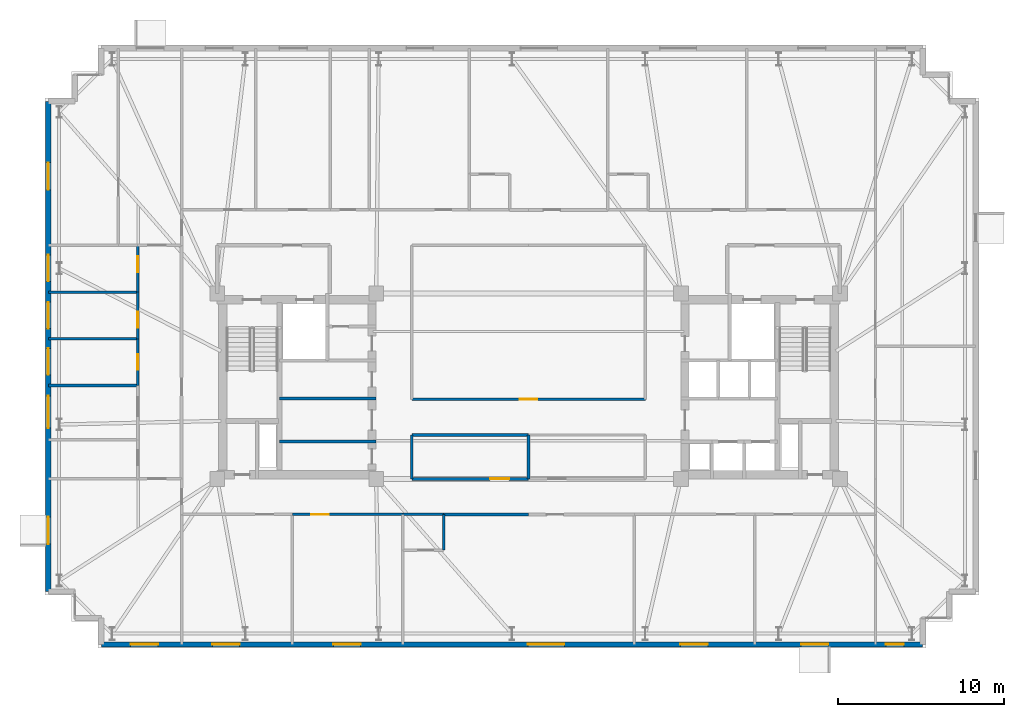
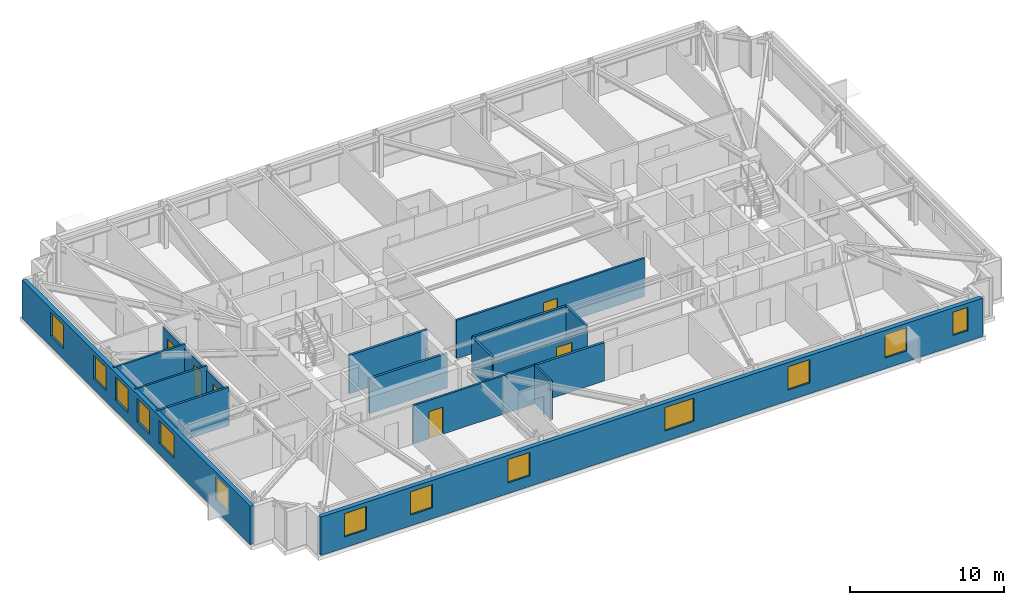
# One storey, part 11 of 17: 19 walls, 13 windows, 6 doors, 19 openings.
"""IFC4 building model written with IfcOpenShell, lengths in metres."""

from ifc_helpers import new_model, si_unit, direction, frame, frame_2d, origin, place, context, subcontext, project, spatial, rectangle, extrude, material, layer, layer_set, type_object, element, fill, save


model = new_model("IFC4")

# Units and contexts
model_context = context("Model", 3, precision=1e-05, world=origin(), true_north=direction((0.0, 1.0)))
body_context = subcontext(model_context, "Body", "Model", "MODEL_VIEW")
ifc_project = project(units=[si_unit("LENGTHUNIT", "METRE"), si_unit("AREAUNIT", "SQUARE_METRE"), si_unit("VOLUMEUNIT", "CUBIC_METRE"), si_unit("PLANEANGLEUNIT", "RADIAN"), si_unit("MASSUNIT", "GRAM", prefix="KILO")], contexts=[model_context])

# Site, building, storey
site_placement = place(None, origin())
site = spatial("IfcSite", under=ifc_project, at=site_placement, CompositionType="ELEMENT")
building_placement = place(site_placement, origin())
building = spatial("IfcBuilding", under=site, at=building_placement, Name="Qobustan Lattice House", CompositionType="ELEMENT")
storey_placement = place(building_placement, frame((0.0, 0.0, 167.85009765625)))
storey = spatial("IfcBuildingStorey", under=building, at=storey_placement, Name="L47", CompositionType="ELEMENT", Elevation=167.85009765625)

# Wall, openings, windows
ifc_material_1 = material(Name="Precast concrete C40/50", Category="concrete")
ifc_layer_1 = layer(ifc_material_1, 0.320068359375)
ifc_layer_set_1 = layer_set([ifc_layer_1], Name="Precast concrete C40/50")
wall_type_1 = type_object("IfcWallType", Name="WAL-EXT-STONE-320", PredefinedType="SOLIDWALL", material=ifc_layer_set_1)
wall_1_placement = place(storey_placement, frame((-29.0, -12.39990234375, 0.0), z_axis=(0.0, 0.0, 1.0), x_axis=(0.0, 1.0, 0.0)))
wall_1 = element("IfcWall", 1, at=wall_1_placement, inside=storey, type_object=wall_type_1, Name="L47 exterior limestone-clad wall 5", PredefinedType="SOLIDWALL", context=body_context, shape_type="SweptSolid", body=[
    extrude(rectangle(XDim=29.599853515625, YDim=0.320068359375, at=frame_2d((14.7998046875, 0.0))), origin(), (0.0, 0.0, 1.0), 3.039794921875),
])
opening_1_placement = place(wall_1_placement, frame((2.85498046875, 0.0, 0.85009765625)))
opening_1 = element("IfcOpeningElement", 2, at=opening_1_placement, cuts=wall_1, Name="Opening WN-09", PredefinedType="OPENING", context=body_context, shape_type="SweptSolid", body=[
    extrude(rectangle(XDim=1.64990234375, YDim=1.85009765625, at=frame_2d((0.824951171875, 0.925048828125))), frame((0.0, 0.169921875, 0.0), z_axis=(0.0, -1.0, 0.0), x_axis=(1.0, 0.0, 0.0)), (0.0, 0.0, 1.0), 0.340087890625),
])
opening_2_placement = place(wall_1_placement, frame((9.864990234375, 0.0, 0.85009765625)))
opening_2 = element("IfcOpeningElement", 3, at=opening_2_placement, cuts=wall_1, Name="Opening WN-08", PredefinedType="OPENING", context=body_context, shape_type="SweptSolid", body=[
    extrude(rectangle(XDim=1.949951171875, YDim=1.85009765625, at=frame_2d((0.97509765625, 0.925048828125))), frame((0.0, 0.169921875, 0.0), z_axis=(0.0, -1.0, 0.0), x_axis=(1.0, 0.0, 0.0)), (0.0, 0.0, 1.0), 0.340087890625),
])
opening_3_placement = place(wall_1_placement, frame((13.080078125, 0.0, 0.85009765625)))
opening_3 = element("IfcOpeningElement", 4, at=opening_3_placement, cuts=wall_1, Name="Opening WN-13", PredefinedType="OPENING", context=body_context, shape_type="SweptSolid", body=[
    extrude(rectangle(XDim=1.60009765625, YDim=1.85009765625, at=frame_2d((0.800048828125, 0.925048828125))), frame((0.0, 0.169921875, 0.0), z_axis=(0.0, -1.0, 0.0), x_axis=(1.0, 0.0, 0.0)), (0.0, 0.0, 1.0), 0.340087890625),
])
opening_4_placement = place(wall_1_placement, frame((15.8798828125, 0.0, 0.85009765625)))
opening_4 = element("IfcOpeningElement", 5, at=opening_4_placement, cuts=wall_1, Name="Opening WN-13", PredefinedType="OPENING", context=body_context, shape_type="SweptSolid", body=[
    extrude(rectangle(XDim=1.60009765625, YDim=1.85009765625, at=frame_2d((0.800048828125, 0.925048828125))), frame((0.0, 0.169921875, 0.0), z_axis=(0.0, -1.0, 0.0), x_axis=(1.0, 0.0, 0.0)), (0.0, 0.0, 1.0), 0.340087890625),
])
opening_5_placement = place(wall_1_placement, frame((18.719970703125, 0.0, 0.85009765625)))
opening_5 = element("IfcOpeningElement", 6, at=opening_5_placement, cuts=wall_1, Name="Opening WN-13", PredefinedType="OPENING", context=body_context, shape_type="SweptSolid", body=[
    extrude(rectangle(XDim=1.60009765625, YDim=1.85009765625, at=frame_2d((0.800048828125, 0.925048828125))), frame((0.0, 0.169921875, 0.0), z_axis=(0.0, -1.0, 0.0), x_axis=(1.0, 0.0, 0.0)), (0.0, 0.0, 1.0), 0.340087890625),
])
opening_6_placement = place(wall_1_placement, frame((24.2548828125, 0.0, 0.85009765625)))
opening_6 = element("IfcOpeningElement", 7, at=opening_6_placement, cuts=wall_1, Name="Opening WN-09", PredefinedType="OPENING", context=body_context, shape_type="SweptSolid", body=[
    extrude(rectangle(XDim=1.64990234375, YDim=1.85009765625, at=frame_2d((0.824951171875, 0.925048828125))), frame((0.0, 0.169921875, 0.0), z_axis=(0.0, -1.0, 0.0), x_axis=(1.0, 0.0, 0.0)), (0.0, 0.0, 1.0), 0.340087890625),
])
ifc_material_2 = material(Name="Double-glazed low-E aluminium window", Category="aluminium")
window_type_1 = type_object("IfcWindowType", Name="WIN-BED-1600x1850", PartitioningType="SINGLE_PANEL", PredefinedType="WINDOW", material=ifc_material_2)
window_1_placement = place(opening_3_placement, origin())
window_1 = element("IfcWindow", 8, at=window_1_placement, inside=storey, type_object=window_type_1, Name="L47 Cluster bedroom L47W1 window", OverallHeight=1.85009765625, OverallWidth=1.60009765625, PartitioningType="SINGLE_PANEL", PredefinedType="WINDOW", context=body_context, shape_type="SweptSolid", body=[
    extrude(rectangle(XDim=1.60009765625, YDim=1.85009765625, at=frame_2d((0.800048828125, 0.925048828125))), frame((0.0, 0.030029296875, 0.0), z_axis=(0.0, -1.0, 0.0), x_axis=(1.0, 0.0, 0.0)), (0.0, 0.0, 1.0), 0.06005859375),
])
fill(opening_3, window_1)
window_2_placement = place(opening_4_placement, origin())
window_2 = element("IfcWindow", 9, at=window_2_placement, inside=storey, type_object=window_type_1, Name="L47 Cluster bedroom L47W2 window", OverallHeight=1.85009765625, OverallWidth=1.60009765625, PartitioningType="SINGLE_PANEL", PredefinedType="WINDOW", context=body_context, shape_type="SweptSolid", body=[
    extrude(rectangle(XDim=1.60009765625, YDim=1.85009765625, at=frame_2d((0.800048828125, 0.925048828125))), frame((0.0, 0.030029296875, 0.0), z_axis=(0.0, -1.0, 0.0), x_axis=(1.0, 0.0, 0.0)), (0.0, 0.0, 1.0), 0.06005859375),
])
fill(opening_4, window_2)
window_3_placement = place(opening_5_placement, origin())
window_3 = element("IfcWindow", 10, at=window_3_placement, inside=storey, type_object=window_type_1, Name="L47 Cluster bedroom L47W3 window", OverallHeight=1.85009765625, OverallWidth=1.60009765625, PartitioningType="SINGLE_PANEL", PredefinedType="WINDOW", context=body_context, shape_type="SweptSolid", body=[
    extrude(rectangle(XDim=1.60009765625, YDim=1.85009765625, at=frame_2d((0.800048828125, 0.925048828125))), frame((0.0, 0.030029296875, 0.0), z_axis=(0.0, -1.0, 0.0), x_axis=(1.0, 0.0, 0.0)), (0.0, 0.0, 1.0), 0.06005859375),
])
fill(opening_5, window_3)
ifc_material_3 = material(Name="Double-glazed low-E aluminium window", Category="aluminium")
window_type_2 = type_object("IfcWindowType", Name="WIN-KIT-1950x1850", PartitioningType="SINGLE_PANEL", PredefinedType="WINDOW", material=ifc_material_3)
window_4_placement = place(opening_2_placement, origin())
window_4 = element("IfcWindow", 11, at=window_4_placement, inside=storey, type_object=window_type_2, Name="L47 Shared kitchen L47W window", OverallHeight=1.85009765625, OverallWidth=1.949951171875, PartitioningType="SINGLE_PANEL", PredefinedType="WINDOW", context=body_context, shape_type="SweptSolid", body=[
    extrude(rectangle(XDim=1.949951171875, YDim=1.85009765625, at=frame_2d((0.97509765625, 0.925048828125))), frame((0.0, 0.030029296875, 0.0), z_axis=(0.0, -1.0, 0.0), x_axis=(1.0, 0.0, 0.0)), (0.0, 0.0, 1.0), 0.06005859375),
])
fill(opening_2, window_4)
ifc_material_4 = material(Name="Double-glazed low-E aluminium window", Category="aluminium")
window_type_3 = type_object("IfcWindowType", Name="WIN-STU-1650x1850", PartitioningType="SINGLE_PANEL", PredefinedType="WINDOW", material=ifc_material_4)
window_5_placement = place(opening_1_placement, origin())
window_5 = element("IfcWindow", 12, at=window_5_placement, inside=storey, type_object=window_type_3, Name="L47 Reading study room L47WS window", OverallHeight=1.85009765625, OverallWidth=1.64990234375, PartitioningType="SINGLE_PANEL", PredefinedType="WINDOW", context=body_context, shape_type="SweptSolid", body=[
    extrude(rectangle(XDim=1.64990234375, YDim=1.85009765625, at=frame_2d((0.824951171875, 0.925048828125))), frame((0.0, 0.030029296875, 0.0), z_axis=(0.0, -1.0, 0.0), x_axis=(1.0, 0.0, 0.0)), (0.0, 0.0, 1.0), 0.06005859375),
])
fill(opening_1, window_5)
window_6_placement = place(opening_6_placement, origin())
window_6 = element("IfcWindow", 13, at=window_6_placement, inside=storey, type_object=window_type_3, Name="L47 Collaborative study room L47WN window", OverallHeight=1.85009765625, OverallWidth=1.64990234375, PartitioningType="SINGLE_PANEL", PredefinedType="WINDOW", context=body_context, shape_type="SweptSolid", body=[
    extrude(rectangle(XDim=1.64990234375, YDim=1.85009765625, at=frame_2d((0.824951171875, 0.925048828125))), frame((0.0, 0.030029296875, 0.0), z_axis=(0.0, -1.0, 0.0), x_axis=(1.0, 0.0, 0.0)), (0.0, 0.0, 1.0), 0.06005859375),
])
fill(opening_6, window_6)

wall_2_placement = place(storey_placement, frame((23.800048828125, -15.60009765625, 0.0), z_axis=(0.0, 0.0, 1.0), x_axis=(-1.0, 0.0, 0.0)))
wall_2 = element("IfcWall", 14, at=wall_2_placement, inside=storey, type_object=wall_type_1, Name="L47 exterior limestone-clad wall 20", PredefinedType="SOLIDWALL", context=body_context, shape_type="SweptSolid", body=[
    extrude(rectangle(XDim=49.60009765625, YDim=0.320068359375, at=frame_2d((24.800048828125, 0.0))), origin(), (0.0, 0.0, 1.0), 3.039794921875),
])
opening_7_placement = place(wall_2_placement, frame((1.1298828125, 0.0, 0.85009765625)))
opening_7 = element("IfcOpeningElement", 15, at=opening_7_placement, cuts=wall_2, Name="Opening WN-04", PredefinedType="OPENING", context=body_context, shape_type="SweptSolid", body=[
    extrude(rectangle(XDim=1.10009765625, YDim=1.85009765625, at=frame_2d((0.550048828125, 0.925048828125))), frame((0.0, 0.169921875, 0.0), z_axis=(0.0, -1.0, 0.0), x_axis=(1.0, 0.0, 0.0)), (0.0, 0.0, 1.0), 0.340087890625),
])
opening_8_placement = place(wall_2_placement, frame((5.695068359375, 0.0, 0.85009765625)))
opening_8 = element("IfcOpeningElement", 16, at=opening_8_placement, cuts=wall_2, Name="Opening WN-09", PredefinedType="OPENING", context=body_context, shape_type="SweptSolid", body=[
    extrude(rectangle(XDim=1.64990234375, YDim=1.85009765625, at=frame_2d((0.824951171875, 0.925048828125))), frame((0.0, 0.169921875, 0.0), z_axis=(0.0, -1.0, 0.0), x_axis=(1.0, 0.0, 0.0)), (0.0, 0.0, 1.0), 0.340087890625),
])
opening_9_placement = place(wall_2_placement, frame((12.97509765625, 0.0, 0.85009765625)))
opening_9 = element("IfcOpeningElement", 17, at=opening_9_placement, cuts=wall_2, Name="Opening WN-09", PredefinedType="OPENING", context=body_context, shape_type="SweptSolid", body=[
    extrude(rectangle(XDim=1.64990234375, YDim=1.85009765625, at=frame_2d((0.824951171875, 0.925048828125))), frame((0.0, 0.169921875, 0.0), z_axis=(0.0, -1.0, 0.0), x_axis=(1.0, 0.0, 0.0)), (0.0, 0.0, 1.0), 0.340087890625),
])
opening_10_placement = place(wall_2_placement, frame((21.635986328125, 0.0, 0.85009765625)))
opening_10 = element("IfcOpeningElement", 18, at=opening_10_placement, cuts=wall_2, Name="Opening WN-03", PredefinedType="OPENING", context=body_context, shape_type="SweptSolid", body=[
    extrude(rectangle(XDim=2.199951171875, YDim=1.85009765625, at=frame_2d((1.10009765625, 0.925048828125))), frame((0.0, 0.169921875, 0.0), z_axis=(0.0, -1.0, 0.0), x_axis=(1.0, 0.0, 0.0)), (0.0, 0.0, 1.0), 0.340087890625),
])
opening_11_placement = place(wall_2_placement, frame((33.93505859375, 0.0, 0.85009765625)))
opening_11 = element("IfcOpeningElement", 19, at=opening_11_placement, cuts=wall_2, Name="Opening WN-09", PredefinedType="OPENING", context=body_context, shape_type="SweptSolid", body=[
    extrude(rectangle(XDim=1.64990234375, YDim=1.85009765625, at=frame_2d((0.824951171875, 0.925048828125))), frame((0.0, 0.169921875, 0.0), z_axis=(0.0, -1.0, 0.0), x_axis=(1.0, 0.0, 0.0)), (0.0, 0.0, 1.0), 0.340087890625),
])
opening_12_placement = place(wall_2_placement, frame((41.240478515625, 0.0, 0.85009765625)))
opening_12 = element("IfcOpeningElement", 20, at=opening_12_placement, cuts=wall_2, Name="Opening WN-09", PredefinedType="OPENING", context=body_context, shape_type="SweptSolid", body=[
    extrude(rectangle(XDim=1.64990234375, YDim=1.85009765625, at=frame_2d((0.824951171875, 0.925048828125))), frame((0.0, 0.169921875, 0.0), z_axis=(0.0, -1.0, 0.0), x_axis=(1.0, 0.0, 0.0)), (0.0, 0.0, 1.0), 0.340087890625),
])
opening_13_placement = place(wall_2_placement, frame((46.175048828125, 0.0, 0.85009765625)))
opening_13 = element("IfcOpeningElement", 21, at=opening_13_placement, cuts=wall_2, Name="Opening WN-09", PredefinedType="OPENING", context=body_context, shape_type="SweptSolid", body=[
    extrude(rectangle(XDim=1.64990234375, YDim=1.85009765625, at=frame_2d((0.824951171875, 0.925048828125))), frame((0.0, 0.169921875, 0.0), z_axis=(0.0, -1.0, 0.0), x_axis=(1.0, 0.0, 0.0)), (0.0, 0.0, 1.0), 0.340087890625),
])
ifc_material_5 = material(Name="Double-glazed low-E aluminium window", Category="aluminium")
window_type_4 = type_object("IfcWindowType", Name="WIN-NAR-1100x1850", PartitioningType="SINGLE_PANEL", PredefinedType="WINDOW", material=ifc_material_5)
window_7_placement = place(opening_7_placement, origin())
window_7 = element("IfcWindow", 22, at=window_7_placement, inside=storey, type_object=window_type_4, Name="L47 Fellows reading room window", OverallHeight=1.85009765625, OverallWidth=1.10009765625, PartitioningType="SINGLE_PANEL", PredefinedType="WINDOW", context=body_context, shape_type="SweptSolid", body=[
    extrude(rectangle(XDim=1.10009765625, YDim=1.85009765625, at=frame_2d((0.550048828125, 0.925048828125))), frame((0.0, 0.030029296875, 0.0), z_axis=(0.0, -1.0, 0.0), x_axis=(1.0, 0.0, 0.0)), (0.0, 0.0, 1.0), 0.06005859375),
])
fill(opening_7, window_7)
window_8_placement = place(opening_8_placement, origin())
window_8 = element("IfcWindow", 23, at=window_8_placement, inside=storey, type_object=window_type_3, Name="L47 Academic seminar room window", OverallHeight=1.85009765625, OverallWidth=1.64990234375, PartitioningType="SINGLE_PANEL", PredefinedType="WINDOW", context=body_context, shape_type="SweptSolid", body=[
    extrude(rectangle(XDim=1.64990234375, YDim=1.85009765625, at=frame_2d((0.824951171875, 0.925048828125))), frame((0.0, 0.030029296875, 0.0), z_axis=(0.0, -1.0, 0.0), x_axis=(1.0, 0.0, 0.0)), (0.0, 0.0, 1.0), 0.06005859375),
])
fill(opening_8, window_8)
window_9_placement = place(opening_9_placement, origin())
window_9 = element("IfcWindow", 24, at=window_9_placement, inside=storey, type_object=window_type_3, Name="L47 Group study room window", OverallHeight=1.85009765625, OverallWidth=1.64990234375, PartitioningType="SINGLE_PANEL", PredefinedType="WINDOW", context=body_context, shape_type="SweptSolid", body=[
    extrude(rectangle(XDim=1.64990234375, YDim=1.85009765625, at=frame_2d((0.824951171875, 0.925048828125))), frame((0.0, 0.030029296875, 0.0), z_axis=(0.0, -1.0, 0.0), x_axis=(1.0, 0.0, 0.0)), (0.0, 0.0, 1.0), 0.06005859375),
])
fill(opening_9, window_9)
window_10_placement = place(opening_11_placement, origin())
window_10 = element("IfcWindow", 25, at=window_10_placement, inside=storey, type_object=window_type_3, Name="L47 Focus study room S1B window", OverallHeight=1.85009765625, OverallWidth=1.64990234375, PartitioningType="SINGLE_PANEL", PredefinedType="WINDOW", context=body_context, shape_type="SweptSolid", body=[
    extrude(rectangle(XDim=1.64990234375, YDim=1.85009765625, at=frame_2d((0.824951171875, 0.925048828125))), frame((0.0, 0.030029296875, 0.0), z_axis=(0.0, -1.0, 0.0), x_axis=(1.0, 0.0, 0.0)), (0.0, 0.0, 1.0), 0.06005859375),
])
fill(opening_11, window_10)
window_11_placement = place(opening_12_placement, origin())
window_11 = element("IfcWindow", 26, at=window_11_placement, inside=storey, type_object=window_type_3, Name="L47 Focus study room S1A window", OverallHeight=1.85009765625, OverallWidth=1.64990234375, PartitioningType="SINGLE_PANEL", PredefinedType="WINDOW", context=body_context, shape_type="SweptSolid", body=[
    extrude(rectangle(XDim=1.64990234375, YDim=1.85009765625, at=frame_2d((0.824951171875, 0.925048828125))), frame((0.0, 0.030029296875, 0.0), z_axis=(0.0, -1.0, 0.0), x_axis=(1.0, 0.0, 0.0)), (0.0, 0.0, 1.0), 0.06005859375),
])
fill(opening_12, window_11)
window_12_placement = place(opening_13_placement, origin())
window_12 = element("IfcWindow", 27, at=window_12_placement, inside=storey, type_object=window_type_3, Name="L47 Reading study room L47WS window", OverallHeight=1.85009765625, OverallWidth=1.64990234375, PartitioningType="SINGLE_PANEL", PredefinedType="WINDOW", context=body_context, shape_type="SweptSolid", body=[
    extrude(rectangle(XDim=1.64990234375, YDim=1.85009765625, at=frame_2d((0.824951171875, 0.925048828125))), frame((0.0, 0.030029296875, 0.0), z_axis=(0.0, -1.0, 0.0), x_axis=(1.0, 0.0, 0.0)), (0.0, 0.0, 1.0), 0.06005859375),
])
fill(opening_13, window_12)
ifc_material_6 = material(Name="Double-glazed low-E aluminium window", Category="aluminium")
window_type_5 = type_object("IfcWindowType", Name="WIN-WIDE-2200x1850", PartitioningType="SINGLE_PANEL", PredefinedType="WINDOW", material=ifc_material_6)
window_13_placement = place(opening_10_placement, origin())
window_13 = element("IfcWindow", 28, at=window_13_placement, inside=storey, type_object=window_type_5, Name="L47 Kitchenette and studio apartment L47-S2 window", OverallHeight=1.85009765625, OverallWidth=2.199951171875, PartitioningType="SINGLE_PANEL", PredefinedType="WINDOW", context=body_context, shape_type="SweptSolid", body=[
    extrude(rectangle(XDim=2.199951171875, YDim=1.85009765625, at=frame_2d((1.10009765625, 0.925048828125))), frame((0.0, 0.030029296875, 0.0), z_axis=(0.0, -1.0, 0.0), x_axis=(1.0, 0.0, 0.0)), (0.0, 0.0, 1.0), 0.06005859375),
])
fill(opening_10, window_13)

# Walls
ifc_material_7 = material(Name="Gypsum fireboard acoustic partition", Category="gypsum")
ifc_layer_2 = layer(ifc_material_7, 0.179931640625)
ifc_layer_set_2 = layer_set([ifc_layer_2], Name="Gypsum fireboard acoustic partition")
wall_type_2 = type_object("IfcWallType", Name="WAL-FIRE-180", PredefinedType="PARTITIONING", material=ifc_layer_set_2)
wall_3_placement = place(storey_placement, frame((-15.050048828125, -3.35009765625, 0.0), z_axis=(0.0, 0.0, 1.0), x_axis=(1.0, 0.0, 0.0)))
element("IfcWall", 29, at=wall_3_placement, inside=storey, type_object=wall_type_2, Name="L47 interior partition 10", PredefinedType="PARTITIONING", context=body_context, shape_type="SweptSolid", body=[
    extrude(rectangle(XDim=5.85009765625, YDim=0.179931640625, at=frame_2d((2.925048828125, 0.0))), origin(), (0.0, 0.0, 1.0), 2.7548828125),
])
wall_4_placement = place(storey_placement, frame((-9.199951171875, -0.75, 0.0), z_axis=(0.0, 0.0, 1.0), x_axis=(-1.0, 0.0, 0.0)))
element("IfcWall", 30, at=wall_4_placement, inside=storey, type_object=wall_type_2, Name="L47 interior partition 11", PredefinedType="PARTITIONING", context=body_context, shape_type="SweptSolid", body=[
    extrude(rectangle(XDim=5.85009765625, YDim=0.179931640625, at=frame_2d((2.925048828125, 0.0))), origin(), (0.0, 0.0, 1.0), 3.039794921875),
])
wall_5_placement = place(storey_placement, frame((0.0, -7.75, 0.0), z_axis=(0.0, 0.0, 1.0), x_axis=(-1.0, 0.0, 0.0)))
element("IfcWall", 31, at=wall_5_placement, inside=storey, type_object=wall_type_2, Name="L47 interior partition 49", PredefinedType="PARTITIONING", context=body_context, shape_type="SweptSolid", body=[
    extrude(rectangle(XDim=5.133056640625, YDim=0.179931640625, at=frame_2d((2.56640625, 0.0))), origin(), (0.0, 0.0, 1.0), 3.039794921875),
])

# Wall, opening, door
ifc_material_8 = material(Name="Acoustic twin-stud gypsum partition", Category="gypsum")
ifc_layer_3 = layer(ifc_material_8, 0.14990234375)
ifc_layer_set_3 = layer_set([ifc_layer_3], Name="Acoustic twin-stud gypsum partition")
wall_type_3 = type_object("IfcWallType", Name="WAL-PART-150", PredefinedType="PARTITIONING", material=ifc_layer_set_3)
wall_6_placement = place(storey_placement, frame((-7.5830078125, -7.75, 0.0), z_axis=(0.0, 0.0, 1.0), x_axis=(-1.0, 0.0, 0.0)))
wall_6 = element("IfcWall", 32, at=wall_6_placement, inside=storey, type_object=wall_type_3, Name="L47 interior partition 48", PredefinedType="PARTITIONING", context=body_context, shape_type="SweptSolid", body=[
    extrude(rectangle(XDim=6.68359375, YDim=0.14990234375, at=frame_2d((3.341796875, 0.0))), origin(), (0.0, 0.0, 1.0), 3.039794921875),
])
opening_14_placement = place(wall_6_placement, frame((4.494384765625, 0.0, 0.0)))
opening_14 = element("IfcOpeningElement", 33, at=opening_14_placement, cuts=wall_6, Name="Opening ID-02", PredefinedType="OPENING", context=body_context, shape_type="SweptSolid", body=[
    extrude(rectangle(XDim=1.050048828125, YDim=2.14990234375, at=frame_2d((0.52490234375, 1.074951171875))), frame((0.0, 0.0849609375, 0.0), z_axis=(0.0, -1.0, 0.0), x_axis=(1.0, 0.0, 0.0)), (0.0, 0.0, 1.0), 0.169921875),
])
ifc_material_9 = material(Name="Persian walnut timber and steel frame door", Category="steel")
door_type_1 = type_object("IfcDoorType", Name="DOR-STUDY-1050x2150", OperationType="NOTDEFINED", PredefinedType="DOOR", material=ifc_material_9)
door_1_placement = place(opening_14_placement, origin())
door_1 = element("IfcDoor", 34, at=door_1_placement, inside=storey, type_object=door_type_1, Name="L47 South-west floor corridor to Focus study room S1B door", OperationType="SINGLE_SWING_RIGHT", OverallHeight=2.14990234375, OverallWidth=1.050048828125, PredefinedType="DOOR", context=body_context, shape_type="SweptSolid", body=[
    extrude(rectangle(XDim=1.050048828125, YDim=2.14990234375, at=frame_2d((0.52490234375, 1.074951171875))), frame((0.0, 0.02490234375, 0.0), z_axis=(0.0, -1.0, 0.0), x_axis=(1.0, 0.0, 0.0)), (0.0, 0.0, 1.0), 0.050048828125),
])
fill(opening_14, door_1)

wall_7_placement = place(storey_placement, frame((-7.050048828125, -0.800048828125, 0.0), z_axis=(0.0, 0.0, 1.0), x_axis=(1.0, 0.0, 0.0)))
wall_7 = element("IfcWall", 35, at=wall_7_placement, inside=storey, type_object=wall_type_3, Name="L47 interior partition 60", PredefinedType="PARTITIONING", context=body_context, shape_type="SweptSolid", body=[
    extrude(rectangle(XDim=14.10009765625, YDim=0.14990234375, at=frame_2d((7.050048828125, 0.0))), origin(), (0.0, 0.0, 1.0), 3.039794921875),
])
opening_15_placement = place(wall_7_placement, frame((6.52490234375, 0.0, 0.0)))
opening_15 = element("IfcOpeningElement", 36, at=opening_15_placement, cuts=wall_7, Name="Opening ID-02", PredefinedType="OPENING", context=body_context, shape_type="SweptSolid", body=[
    extrude(rectangle(XDim=1.050048828125, YDim=2.14990234375, at=frame_2d((0.52490234375, 1.074951171875))), frame((0.0, 0.0849609375, 0.0), z_axis=(0.0, -1.0, 0.0), x_axis=(1.0, 0.0, 0.0)), (0.0, 0.0, 1.0), 0.169921875),
])
door_2_placement = place(opening_15_placement, origin())
door_2 = element("IfcDoor", 37, at=door_2_placement, inside=storey, type_object=door_type_1, Name="L47 Central spine corridor to Academic seminar commons door", OperationType="SINGLE_SWING_LEFT", OverallHeight=2.14990234375, OverallWidth=1.050048828125, PredefinedType="DOOR", context=body_context, shape_type="SweptSolid", body=[
    extrude(rectangle(XDim=1.050048828125, YDim=2.14990234375, at=frame_2d((0.52490234375, 1.074951171875))), frame((0.0, 0.02490234375, 0.0), z_axis=(0.0, -1.0, 0.0), x_axis=(1.0, 0.0, 0.0)), (0.0, 0.0, 1.0), 0.050048828125),
])
fill(opening_15, door_2)

wall_8_placement = place(storey_placement, frame((-23.60009765625, 0.0400390625, 0.0), z_axis=(0.0, 0.0, 1.0), x_axis=(0.0, 1.0, 0.0)))
wall_8 = element("IfcWall", 38, at=wall_8_placement, inside=storey, type_object=wall_type_3, Name="L47 interior partition 71", PredefinedType="PARTITIONING", context=body_context, shape_type="SweptSolid", body=[
    extrude(rectangle(XDim=2.820068359375, YDim=0.14990234375, at=frame_2d((1.41015625, 0.0))), origin(), (0.0, 0.0, 1.0), 2.69482421875),
])
opening_16_placement = place(wall_8_placement, frame((0.93505859375, 0.0, 0.0)))
opening_16 = element("IfcOpeningElement", 39, at=opening_16_placement, cuts=wall_8, Name="Opening ID-01", PredefinedType="OPENING", context=body_context, shape_type="SweptSolid", body=[
    extrude(rectangle(XDim=0.949951171875, YDim=2.10009765625, at=frame_2d((0.47509765625, 1.050048828125))), frame((0.0, 0.0849609375, 0.0), z_axis=(0.0, -1.0, 0.0), x_axis=(1.0, 0.0, 0.0)), (0.0, 0.0, 1.0), 0.169921875),
])
ifc_material_10 = material(Name="Persian walnut timber and steel frame door", Category="steel")
door_type_2 = type_object("IfcDoorType", Name="DOR-ROOM-950x2100", OperationType="NOTDEFINED", PredefinedType="DOOR", material=ifc_material_10)
door_3_placement = place(opening_16_placement, origin())
door_3 = element("IfcDoor", 40, at=door_3_placement, inside=storey, type_object=door_type_2, Name="L47 Residence entrance hall L47W to Cluster bedroom L47W1 door", OperationType="SINGLE_SWING_RIGHT", OverallHeight=2.10009765625, OverallWidth=0.949951171875, PredefinedType="DOOR", context=body_context, shape_type="SweptSolid", body=[
    extrude(rectangle(XDim=0.949951171875, YDim=2.10009765625, at=frame_2d((0.47509765625, 1.050048828125))), frame((0.0, 0.02490234375, 0.0), z_axis=(0.0, -1.0, 0.0), x_axis=(1.0, 0.0, 0.0)), (0.0, 0.0, 1.0), 0.050048828125),
])
fill(opening_16, door_3)

wall_9_placement = place(storey_placement, frame((-23.60009765625, 2.860107421875, 0.0), z_axis=(0.0, 0.0, 1.0), x_axis=(0.0, 1.0, 0.0)))
wall_9 = element("IfcWall", 41, at=wall_9_placement, inside=storey, type_object=wall_type_3, Name="L47 interior partition 72", PredefinedType="PARTITIONING", context=body_context, shape_type="SweptSolid", body=[
    extrude(rectangle(XDim=2.81982421875, YDim=0.14990234375, at=frame_2d((1.409912109375, 0.0))), origin(), (0.0, 0.0, 1.0), 2.69482421875),
])
opening_17_placement = place(wall_9_placement, frame((0.668701171875, 0.0, 0.0)))
opening_17 = element("IfcOpeningElement", 42, at=opening_17_placement, cuts=wall_9, Name="Opening ID-01", PredefinedType="OPENING", context=body_context, shape_type="SweptSolid", body=[
    extrude(rectangle(XDim=0.949951171875, YDim=2.10009765625, at=frame_2d((0.47509765625, 1.050048828125))), frame((0.0, 0.0849609375, 0.0), z_axis=(0.0, -1.0, 0.0), x_axis=(1.0, 0.0, 0.0)), (0.0, 0.0, 1.0), 0.169921875),
])
door_4_placement = place(opening_17_placement, origin())
door_4 = element("IfcDoor", 43, at=door_4_placement, inside=storey, type_object=door_type_2, Name="L47 Residence entrance hall L47W to Cluster bedroom L47W2 door", OperationType="SINGLE_SWING_LEFT", OverallHeight=2.10009765625, OverallWidth=0.949951171875, PredefinedType="DOOR", context=body_context, shape_type="SweptSolid", body=[
    extrude(rectangle(XDim=0.949951171875, YDim=2.10009765625, at=frame_2d((0.47509765625, 1.050048828125))), frame((0.0, 0.02490234375, 0.0), z_axis=(0.0, -1.0, 0.0), x_axis=(1.0, 0.0, 0.0)), (0.0, 0.0, 1.0), 0.050048828125),
])
fill(opening_17, door_4)

wall_10_placement = place(storey_placement, frame((-23.60009765625, 5.679931640625, 0.0), z_axis=(0.0, 0.0, 1.0), x_axis=(0.0, 1.0, 0.0)))
wall_10 = element("IfcWall", 44, at=wall_10_placement, inside=storey, type_object=wall_type_3, Name="L47 interior partition 73", PredefinedType="PARTITIONING", context=body_context, shape_type="SweptSolid", body=[
    extrude(rectangle(XDim=2.820068359375, YDim=0.14990234375, at=frame_2d((1.41015625, 0.0))), origin(), (0.0, 0.0, 1.0), 2.69482421875),
])
opening_18_placement = place(wall_10_placement, frame((1.201171875, 0.0, 0.0)))
opening_18 = element("IfcOpeningElement", 45, at=opening_18_placement, cuts=wall_10, Name="Opening ID-01", PredefinedType="OPENING", context=body_context, shape_type="SweptSolid", body=[
    extrude(rectangle(XDim=0.949951171875, YDim=2.10009765625, at=frame_2d((0.47509765625, 1.050048828125))), frame((0.0, 0.0849609375, 0.0), z_axis=(0.0, -1.0, 0.0), x_axis=(1.0, 0.0, 0.0)), (0.0, 0.0, 1.0), 0.169921875),
])
door_5_placement = place(opening_18_placement, origin())
door_5 = element("IfcDoor", 46, at=door_5_placement, inside=storey, type_object=door_type_2, Name="L47 Residence entrance hall L47W to Cluster bedroom L47W3 door", OperationType="SINGLE_SWING_RIGHT", OverallHeight=2.10009765625, OverallWidth=0.949951171875, PredefinedType="DOOR", context=body_context, shape_type="SweptSolid", body=[
    extrude(rectangle(XDim=0.949951171875, YDim=2.10009765625, at=frame_2d((0.47509765625, 1.050048828125))), frame((0.0, 0.02490234375, 0.0), z_axis=(0.0, -1.0, 0.0), x_axis=(1.0, 0.0, 0.0)), (0.0, 0.0, 1.0), 0.050048828125),
])
fill(opening_18, door_5)

# Walls
for number, where, z_axis, x_axis, name in (
    (47, (-29.0, 2.860107421875, 0.0), (0.0, 0.0, 1.0), (1.0, 0.0, 0.0), "L47 interior partition 82"),
    (48, (-29.0, 5.679931640625, 0.0), (0.0, 0.0, 1.0), (1.0, 0.0, 0.0), "L47 interior partition 83"),
):
    element("IfcWall", number, at=place(storey_placement, frame(where, z_axis=z_axis, x_axis=x_axis)), inside=storey, type_object=wall_type_3, Name=name, PredefinedType="PARTITIONING", context=body_context, shape_type="SweptSolid", body=[
        extrude(rectangle(XDim=5.39990234375, YDim=0.14990234375, at=frame_2d((2.699951171875, 0.0))), origin(), (0.0, 0.0, 1.0), 3.039794921875),
    ])

# Wall, opening, door
ifc_material_11 = material(Name="High-mass acoustic twin-stud partition", Category="gypsum")
ifc_layer_4 = layer(ifc_material_11, 0.1650390625)
ifc_layer_set_4 = layer_set([ifc_layer_4], Name="High-mass acoustic twin-stud partition")
wall_type_4 = type_object("IfcWallType", Name="WAL-PART-165", PredefinedType="PARTITIONING", material=ifc_layer_set_4)
wall_11_placement = place(storey_placement, frame((-7.050048828125, -5.60009765625, 0.0), z_axis=(0.0, 0.0, 1.0), x_axis=(1.0, 0.0, 0.0)))
wall_11 = element("IfcWall", 49, at=wall_11_placement, inside=storey, type_object=wall_type_4, Name="L47 interior partition 51", PredefinedType="PARTITIONING", context=body_context, shape_type="SweptSolid", body=[
    extrude(rectangle(XDim=7.050048828125, YDim=0.1650390625, at=frame_2d((3.52490234375, 0.0))), origin(), (0.0, 0.0, 1.0), 2.52490234375),
])
opening_19_placement = place(wall_11_placement, frame((4.7275390625, 0.0, 0.0)))
opening_19 = element("IfcOpeningElement", 50, at=opening_19_placement, cuts=wall_11, Name="Opening ID-03", PredefinedType="OPENING", context=body_context, shape_type="SweptSolid", body=[
    extrude(rectangle(XDim=1.14990234375, YDim=2.14990234375, at=frame_2d((0.574951171875, 1.074951171875))), frame((0.0, 0.092529296875, 0.0), z_axis=(0.0, -1.0, 0.0), x_axis=(1.0, 0.0, 0.0)), (0.0, 0.0, 1.0), 0.18505859375),
])
ifc_material_12 = material(Name="Persian walnut timber and steel frame door", Category="steel")
door_type_3 = type_object("IfcDoorType", Name="DOR-KITCH-1150x2150", OperationType="NOTDEFINED", PredefinedType="DOOR", material=ifc_material_12)
door_6_placement = place(opening_19_placement, origin())
door_6 = element("IfcDoor", 51, at=door_6_placement, inside=storey, type_object=door_type_3, Name="L47 South-west floor corridor to Shared dining kitchen door", OperationType="SINGLE_SWING_LEFT", OverallHeight=2.14990234375, OverallWidth=1.14990234375, PredefinedType="DOOR", context=body_context, shape_type="SweptSolid", body=[
    extrude(rectangle(XDim=1.14990234375, YDim=2.14990234375, at=frame_2d((0.574951171875, 1.074951171875))), frame((0.0, 0.02490234375, 0.0), z_axis=(0.0, -1.0, 0.0), x_axis=(1.0, 0.0, 0.0)), (0.0, 0.0, 1.0), 0.050048828125),
])
fill(opening_19, door_6)

# Walls
wall_12_placement = place(storey_placement, frame((0.0, -2.949951171875, 0.0), z_axis=(0.0, 0.0, 1.0), x_axis=(-1.0, 0.0, 0.0)))
element("IfcWall", 52, at=wall_12_placement, inside=storey, type_object=wall_type_4, Name="L47 interior partition 61", PredefinedType="PARTITIONING", context=body_context, shape_type="SweptSolid", body=[
    extrude(rectangle(XDim=7.050048828125, YDim=0.1650390625, at=frame_2d((3.52490234375, 0.0))), origin(), (0.0, 0.0, 1.0), 3.039794921875),
])
wall_13_placement = place(storey_placement, frame((-7.050048828125, -2.949951171875, 0.0), z_axis=(0.0, 0.0, 1.0), x_axis=(0.0, -1.0, 0.0)))
element("IfcWall", 53, at=wall_13_placement, inside=storey, type_object=wall_type_4, Name="L47 interior partition 64", PredefinedType="PARTITIONING", context=body_context, shape_type="SweptSolid", body=[
    extrude(rectangle(XDim=2.650146484375, YDim=0.1650390625, at=frame_2d((1.3251953125, 0.0))), origin(), (0.0, 0.0, 1.0), 3.039794921875),
])
wall_14_placement = place(storey_placement, frame((-29.0, 0.0400390625, 0.0), z_axis=(0.0, 0.0, 1.0), x_axis=(1.0, 0.0, 0.0)))
element("IfcWall", 54, at=wall_14_placement, inside=storey, type_object=wall_type_4, Name="L47 interior partition 81", PredefinedType="PARTITIONING", context=body_context, shape_type="SweptSolid", body=[
    extrude(rectangle(XDim=5.39990234375, YDim=0.1650390625, at=frame_2d((2.699951171875, 0.0))), origin(), (0.0, 0.0, 1.0), 3.039794921875),
])
wall_15_placement = place(storey_placement, frame((0.0, -2.949951171875, 0.0), z_axis=(0.0, 0.0, 1.0), x_axis=(0.0, -1.0, 0.0)))
element("IfcWall", 55, at=wall_15_placement, inside=storey, type_object=wall_type_4, Name="L47 interior partition 106", PredefinedType="PARTITIONING", context=body_context, shape_type="SweptSolid", body=[
    extrude(rectangle(XDim=2.650146484375, YDim=0.1650390625, at=frame_2d((1.3251953125, 0.0))), origin(), (0.0, 0.0, 1.0), 3.039794921875),
])
ifc_material_13 = material(Name="Moisture-resistant acoustic plumbing wall", Category="gypsum")
ifc_layer_5 = layer(ifc_material_13, 0.14990234375)
ifc_layer_set_5 = layer_set([ifc_layer_5], Name="Moisture-resistant acoustic plumbing wall")
wall_type_5 = type_object("IfcWallType", Name="WAL-WET-150", PredefinedType="PLUMBINGWALL", material=ifc_layer_set_5)
wall_16_placement = place(storey_placement, frame((-5.133056640625, -7.75, 0.0), z_axis=(0.0, 0.0, 1.0), x_axis=(-1.0, 0.0, 0.0)))
element("IfcWall", 56, at=wall_16_placement, inside=storey, type_object=wall_type_5, Name="L47 interior partition 50", PredefinedType="PLUMBINGWALL", context=body_context, shape_type="SweptSolid", body=[
    extrude(rectangle(XDim=2.449951171875, YDim=0.14990234375, at=frame_2d((1.22509765625, 0.0))), origin(), (0.0, 0.0, 1.0), 3.039794921875),
])
wall_17_placement = place(storey_placement, frame((-5.133056640625, -9.89990234375, 0.0), z_axis=(0.0, 0.0, 1.0), x_axis=(0.0, 1.0, 0.0)))
element("IfcWall", 57, at=wall_17_placement, inside=storey, type_object=wall_type_5, Name="L47 interior partition 103", PredefinedType="PLUMBINGWALL", context=body_context, shape_type="SweptSolid", body=[
    extrude(rectangle(XDim=2.14990234375, YDim=0.14990234375, at=frame_2d((1.074951171875, 0.0))), origin(), (0.0, 0.0, 1.0), 3.039794921875),
])

save(model, "model.ifc")
